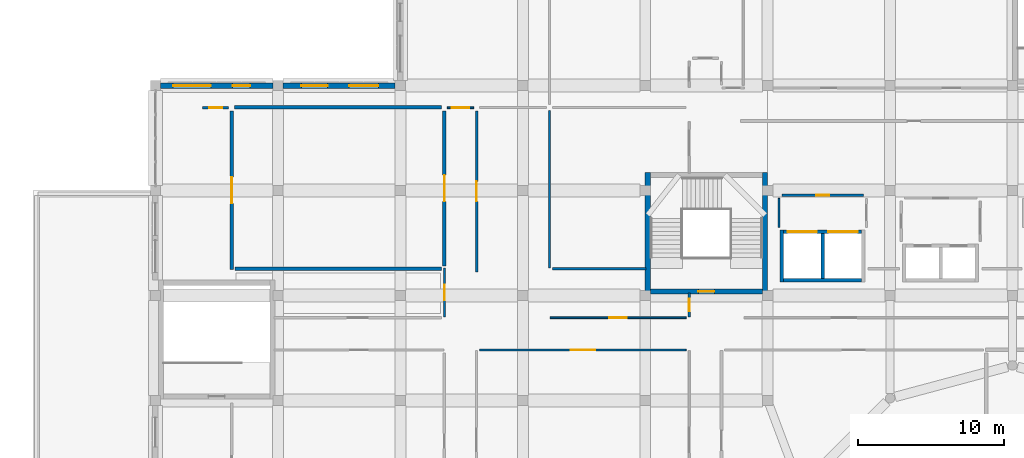
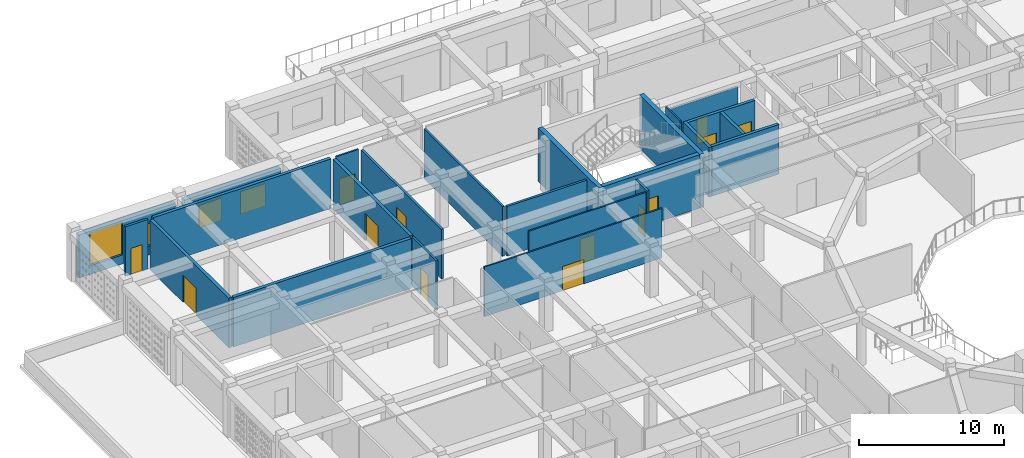
# One storey, part 47 of 79: 24 walls, 13 doors, 4 windows, 17 openings.
"""IFC4 building model written with IfcOpenShell, lengths in metres."""

from ifc_helpers import new_model, si_unit, derived_unit, direction, frame, frame_2d, origin, place, context, subcontext, project, spatial, rectangle, extrude, material, layer, layer_set, type_object, element, fill, save


model = new_model("IFC4")

# Units and contexts
model_context = context("Model", 3, precision=1e-05, world=origin(), true_north=direction((0.0, 1.0)))
body_context = subcontext(model_context, "Body", "Model", "MODEL_VIEW")
ifc_project = project(units=[si_unit("LENGTHUNIT", "METRE"), si_unit("AREAUNIT", "SQUARE_METRE"), si_unit("VOLUMEUNIT", "CUBIC_METRE"), si_unit("PLANEANGLEUNIT", "RADIAN"), si_unit("MASSUNIT", "GRAM", prefix="KILO"), derived_unit("THERMALTRANSMITTANCEUNIT", [(si_unit("POWERUNIT", "WATT"), 1), (si_unit("LENGTHUNIT", "METRE"), -2), (si_unit("THERMODYNAMICTEMPERATUREUNIT", "KELVIN"), -1)])], contexts=[model_context])

# Site, building, storey
site_placement = place(None, origin())
site = spatial("IfcSite", under=ifc_project, at=site_placement, CompositionType="ELEMENT")
building_placement = place(site_placement, origin())
building = spatial("IfcBuilding", under=site, at=building_placement, Name="Veybourne Emporium", CompositionType="ELEMENT")
storey_placement = place(building_placement, frame((0.0, 0.0, 18.89990234375)))
storey = spatial("IfcBuildingStorey", under=building, at=storey_placement, Name="L04", CompositionType="ELEMENT", Elevation=18.89990234375)

# Wall, openings, windows
ifc_material_1 = material(Name="Portland Limestone Ashlar", Category="masonry")
ifc_layer_1 = layer(ifc_material_1, 0.3798828125)
ifc_layer_set_1 = layer_set([ifc_layer_1], Name="Portland Limestone Ashlar")
wall_type_1 = type_object("IfcWallType", Name="ExtWall_EW-03", PredefinedType="SOLIDWALL", material=ifc_layer_set_1)
wall_1_placement = place(storey_placement, frame((17.14990234375, 86.39990234375, 0.0), z_axis=(0.0, 0.0, 1.0), x_axis=(1.0, 0.0, 0.0)))
wall_1 = element("IfcWall", 1, at=wall_1_placement, inside=storey, type_object=wall_type_1, Name="L04 Portland stone external wall 017", PredefinedType="SOLIDWALL", context=body_context, shape_type="SweptSolid", body=[
    extrude(rectangle(XDim=7.7001953125, YDim=0.3798828125, at=frame_2d((3.85009765625, 0.0))), origin(), (0.0, 0.0, 1.0), 3.630126953125),
])
opening_1_placement = place(wall_1_placement, frame((0.85595703125, 0.0, 0.75)))
opening_1 = element("IfcOpeningElement", 2, at=opening_1_placement, cuts=wall_1, Name="Opening W-56", PredefinedType="OPENING", context=body_context, shape_type="SweptSolid", body=[
    extrude(rectangle(XDim=2.60009765625, YDim=2.72998046875, at=frame_2d((1.300048828125, 1.364990234375))), frame((0.0, 0.2099609375, 0.0), z_axis=(0.0, -1.0, 0.0), x_axis=(1.0, 0.0, 0.0)), (0.0, 0.0, 1.0), 0.419921875),
])
opening_2_placement = place(wall_1_placement, frame((4.944091796875, 0.0, 0.75)))
opening_2 = element("IfcOpeningElement", 3, at=opening_2_placement, cuts=wall_1, Name="Opening W-01", PredefinedType="OPENING", context=body_context, shape_type="SweptSolid", body=[
    extrude(rectangle(XDim=1.199951171875, YDim=1.89990234375, at=frame_2d((0.60009765625, 0.949951171875))), frame((0.0, 0.2099609375, 0.0), z_axis=(0.0, -1.0, 0.0), x_axis=(1.0, 0.0, 0.0)), (0.0, 0.0, 1.0), 0.419921875),
])
ifc_material_2 = material(Name="Low-E Triple Glazing", Category="glass")
window_type_1 = type_object("IfcWindowType", Name="Win_W-01", PartitioningType="SINGLE_PANEL", PredefinedType="WINDOW", material=ifc_material_2)
window_1_placement = place(opening_2_placement, origin())
window_1 = element("IfcWindow", 4, at=window_1_placement, inside=storey, type_object=window_type_1, Name="L04 tripartite bronze casement window W-01 (17.2)", OverallHeight=1.89990234375, OverallWidth=1.199951171875, PartitioningType="SINGLE_PANEL", PredefinedType="WINDOW", context=body_context, shape_type="SweptSolid", body=[
    extrude(rectangle(XDim=1.199951171875, YDim=1.89990234375, at=frame_2d((0.60009765625, 0.949951171875))), frame((0.0, 0.030029296875, 0.0), z_axis=(0.0, -1.0, 0.0), x_axis=(1.0, 0.0, 0.0)), (0.0, 0.0, 1.0), 0.06005859375),
])
fill(opening_2, window_1)
window_type_2 = type_object("IfcWindowType", Name="Win_W-56", PartitioningType="TRIPLE_PANEL_VERTICAL", PredefinedType="WINDOW", material=ifc_material_2)
window_2_placement = place(opening_1_placement, origin())
window_2 = element("IfcWindow", 5, at=window_2_placement, inside=storey, type_object=window_type_2, Name="L04 tripartite bronze casement window W-56 (17.1)", OverallHeight=2.72998046875, OverallWidth=2.60009765625, PartitioningType="TRIPLE_PANEL_VERTICAL", PredefinedType="WINDOW", context=body_context, shape_type="SweptSolid", body=[
    extrude(rectangle(XDim=2.60009765625, YDim=2.72998046875, at=frame_2d((1.300048828125, 1.364990234375))), frame((0.0, 0.030029296875, 0.0), z_axis=(0.0, -1.0, 0.0), x_axis=(1.0, 0.0, 0.0)), (0.0, 0.0, 1.0), 0.06005859375),
])
fill(opening_1, window_2)

wall_2_placement = place(storey_placement, frame((25.550048828125, 86.39990234375, 0.0), z_axis=(0.0, 0.0, 1.0), x_axis=(1.0, 0.0, 0.0)))
wall_2 = element("IfcWall", 6, at=wall_2_placement, inside=storey, type_object=wall_type_1, Name="L04 Portland stone external wall 020", PredefinedType="SOLIDWALL", context=body_context, shape_type="SweptSolid", body=[
    extrude(rectangle(XDim=7.699951171875, YDim=0.3798828125, at=frame_2d((3.85009765625, 0.0))), origin(), (0.0, 0.0, 1.0), 3.630126953125),
])
opening_3_placement = place(wall_2_placement, frame((1.256103515625, 0.0, 0.75)))
opening_3 = element("IfcOpeningElement", 7, at=opening_3_placement, cuts=wall_2, Name="Opening W-04", PredefinedType="OPENING", context=body_context, shape_type="SweptSolid", body=[
    extrude(rectangle(XDim=1.800048828125, YDim=1.89990234375, at=frame_2d((0.89990234375, 0.949951171875))), frame((0.0, 0.2099609375, 0.0), z_axis=(0.0, -1.0, 0.0), x_axis=(1.0, 0.0, 0.0)), (0.0, 0.0, 1.0), 0.419921875),
])
opening_4_placement = place(wall_2_placement, frame((4.5439453125, 0.0, 0.75)))
opening_4 = element("IfcOpeningElement", 8, at=opening_4_placement, cuts=wall_2, Name="Opening W-05", PredefinedType="OPENING", context=body_context, shape_type="SweptSolid", body=[
    extrude(rectangle(XDim=2.0, YDim=1.89990234375, at=frame_2d((1.0, 0.949951171875))), frame((0.0, 0.2099609375, 0.0), z_axis=(0.0, -1.0, 0.0), x_axis=(1.0, 0.0, 0.0)), (0.0, 0.0, 1.0), 0.419921875),
])
window_type_3 = type_object("IfcWindowType", Name="Win_W-04", PartitioningType="DOUBLE_PANEL_VERTICAL", PredefinedType="WINDOW", material=ifc_material_2)
window_3_placement = place(opening_3_placement, origin())
window_3 = element("IfcWindow", 9, at=window_3_placement, inside=storey, type_object=window_type_3, Name="L04 tripartite bronze casement window W-04 (20.1)", OverallHeight=1.89990234375, OverallWidth=1.800048828125, PartitioningType="DOUBLE_PANEL_VERTICAL", PredefinedType="WINDOW", context=body_context, shape_type="SweptSolid", body=[
    extrude(rectangle(XDim=1.800048828125, YDim=1.89990234375, at=frame_2d((0.89990234375, 0.949951171875))), frame((0.0, 0.030029296875, 0.0), z_axis=(0.0, -1.0, 0.0), x_axis=(1.0, 0.0, 0.0)), (0.0, 0.0, 1.0), 0.06005859375),
])
fill(opening_3, window_3)
window_type_4 = type_object("IfcWindowType", Name="Win_W-05", PartitioningType="TRIPLE_PANEL_VERTICAL", PredefinedType="WINDOW", material=ifc_material_2)
window_4_placement = place(opening_4_placement, origin())
window_4 = element("IfcWindow", 10, at=window_4_placement, inside=storey, type_object=window_type_4, Name="L04 tripartite bronze casement window W-05 (20.2)", OverallHeight=1.89990234375, OverallWidth=2.0, PartitioningType="TRIPLE_PANEL_VERTICAL", PredefinedType="WINDOW", context=body_context, shape_type="SweptSolid", body=[
    extrude(rectangle(XDim=2.0, YDim=1.89990234375, at=frame_2d((1.0, 0.949951171875))), frame((0.0, 0.030029296875, 0.0), z_axis=(0.0, -1.0, 0.0), x_axis=(1.0, 0.0, 0.0)), (0.0, 0.0, 1.0), 0.06005859375),
])
fill(opening_4, window_4)

# Wall, opening, door
ifc_material_3 = material(Name="Concrete C40/50", Category="concrete")
ifc_layer_2 = layer(ifc_material_3, 0.35009765625)
ifc_layer_set_2 = layer_set([ifc_layer_2], Name="Concrete C40/50")
wall_type_2 = type_object("IfcWallType", Name="IntWall_CW-02", PredefinedType="SHEAR", material=ifc_layer_set_2)
wall_3_placement = place(storey_placement, frame((58.449951171875, 72.27490234375, 0.0), z_axis=(0.0, 0.0, 1.0), x_axis=(-1.0, 0.0, 0.0)))
wall_3 = element("IfcWall", 11, at=wall_3_placement, inside=storey, type_object=wall_type_2, Name="Core stair ST-03 south shear wall (L04)", PredefinedType="SHEAR", context=body_context, shape_type="SweptSolid", body=[
    extrude(rectangle(XDim=7.699951171875, YDim=0.35009765625, at=frame_2d((3.85009765625, 0.0))), origin(), (0.0, 0.0, 1.0), 4.5),
])
opening_5_placement = place(wall_3_placement, frame((3.300048828125, 0.0, 0.0)))
opening_5 = element("IfcOpeningElement", 12, at=opening_5_placement, cuts=wall_3, Name="Opening FD-01", PredefinedType="OPENING", context=body_context, shape_type="SweptSolid", body=[
    extrude(rectangle(XDim=1.10009765625, YDim=2.199951171875, at=frame_2d((0.550048828125, 1.10009765625))), frame((0.0, 0.195068359375, 0.0), z_axis=(0.0, -1.0, 0.0), x_axis=(1.0, 0.0, 0.0)), (0.0, 0.0, 1.0), 0.39013671875),
])
ifc_material_4 = material(Name="Patinated Architectural Bronze", Category="bronze")
door_type_1 = type_object("IfcDoorType", Name="FireDoor_FD-01", OperationType="NOTDEFINED", PredefinedType="DOOR", material=ifc_material_4)
door_1_placement = place(opening_5_placement, origin())
door_1 = element("IfcDoor", 13, at=door_1_placement, inside=storey, type_object=door_type_1, Name="Stair ST-03 fire door (L04)", OperationType="SINGLE_SWING_LEFT", OverallHeight=2.199951171875, OverallWidth=1.10009765625, PredefinedType="DOOR", context=body_context, shape_type="SweptSolid", body=[
    extrude(rectangle(XDim=1.10009765625, YDim=2.199951171875, at=frame_2d((0.550048828125, 1.10009765625))), frame((0.0, 0.02490234375, 0.0), z_axis=(0.0, -1.0, 0.0), x_axis=(1.0, 0.0, 0.0)), (0.0, 0.0, 1.0), 0.050048828125),
])
fill(opening_5, door_1)

# Walls
for number, where, z_axis, x_axis, name in (
    (14, (50.574951171875, 80.449951171875, 0.0), (0.0, 0.0, 1.0), (0.0, -1.0, 0.0), "Core stair ST-03 west shear wall (L04)"),
    (15, (58.625, 72.10009765625, 0.0), (0.0, 0.0, 1.0), (0.0, 1.0, 0.0), "Core stair ST-03 east shear wall (L04)"),
):
    element("IfcWall", number, at=place(storey_placement, frame(where, z_axis=z_axis, x_axis=x_axis)), inside=storey, type_object=wall_type_2, Name=name, PredefinedType="SHEAR", context=body_context, shape_type="SweptSolid", body=[
        extrude(rectangle(XDim=8.349853515625, YDim=0.35009765625, at=frame_2d((4.1748046875, 0.0))), origin(), (0.0, 0.0, 1.0), 4.5),
    ])

# Wall, openings, doors
ifc_layer_3 = layer(ifc_material_3, 0.239990234375)
ifc_layer_set_3 = layer_set([ifc_layer_3], Name="Concrete C40/50")
wall_type_3 = type_object("IfcWallType", Name="IntWall_CW-04", PredefinedType="SHEAR", material=ifc_layer_set_3)
wall_4_placement = place(storey_placement, frame((65.239990234375, 76.3701171875, 0.0), z_axis=(0.0, 0.0, 1.0), x_axis=(-1.0, 0.0, 0.0)))
wall_4 = element("IfcWall", 16, at=wall_4_placement, inside=storey, type_object=wall_type_3, Name="Lift core C4G north shaft wall (L04)", PredefinedType="SHEAR", context=body_context, shape_type="SweptSolid", body=[
    extrude(rectangle(XDim=5.340087890625, YDim=0.239990234375, at=frame_2d((2.669921875, 0.0))), origin(), (0.0, 0.0, 1.0), 4.18017578125),
])
opening_6_placement = place(wall_4_placement, frame((3.06494140625, 0.0, 0.0)))
opening_6 = element("IfcOpeningElement", 17, at=opening_6_placement, cuts=wall_4, Name="Opening LD-03", PredefinedType="OPENING", context=body_context, shape_type="SweptSolid", body=[
    extrude(rectangle(XDim=2.0, YDim=2.5, at=frame_2d((1.0, 1.25))), frame((0.0, 0.14013671875, 0.0), z_axis=(0.0, -1.0, 0.0), x_axis=(1.0, 0.0, 0.0)), (0.0, 0.0, 1.0), 0.280029296875),
])
opening_7_placement = place(wall_4_placement, frame((0.27490234375, 0.0, 0.0)))
opening_7 = element("IfcOpeningElement", 18, at=opening_7_placement, cuts=wall_4, Name="Opening LD-03", PredefinedType="OPENING", context=body_context, shape_type="SweptSolid", body=[
    extrude(rectangle(XDim=2.0, YDim=2.5, at=frame_2d((1.0, 1.25))), frame((0.0, 0.14013671875, 0.0), z_axis=(0.0, -1.0, 0.0), x_axis=(1.0, 0.0, 0.0)), (0.0, 0.0, 1.0), 0.280029296875),
])
door_type_2 = type_object("IfcDoorType", Name="FireDoor_LD-03", OperationType="DOUBLE_DOOR_SLIDING", PredefinedType="DOOR", material=ifc_material_4)
door_2_placement = place(opening_6_placement, origin())
door_2 = element("IfcDoor", 19, at=door_2_placement, inside=storey, type_object=door_type_2, Name="Lift GL-01 sliding landing door (L04)", OperationType="DOUBLE_DOOR_SLIDING", OverallHeight=2.5, OverallWidth=2.0, PredefinedType="DOOR", context=body_context, shape_type="SweptSolid", body=[
    extrude(rectangle(XDim=2.0, YDim=2.5, at=frame_2d((1.0, 1.25))), frame((0.0, 0.02490234375, 0.0), z_axis=(0.0, -1.0, 0.0), x_axis=(1.0, 0.0, 0.0)), (0.0, 0.0, 1.0), 0.050048828125),
])
fill(opening_6, door_2)
door_3_placement = place(opening_7_placement, origin())
door_3 = element("IfcDoor", 20, at=door_3_placement, inside=storey, type_object=door_type_2, Name="Lift GL-02 sliding landing door (L04)", OperationType="DOUBLE_DOOR_SLIDING", OverallHeight=2.5, OverallWidth=2.0, PredefinedType="DOOR", context=body_context, shape_type="SweptSolid", body=[
    extrude(rectangle(XDim=2.0, YDim=2.5, at=frame_2d((1.0, 1.25))), frame((0.0, 0.02490234375, 0.0), z_axis=(0.0, -1.0, 0.0), x_axis=(1.0, 0.0, 0.0)), (0.0, 0.0, 1.0), 0.050048828125),
])
fill(opening_7, door_3)

# Walls
wall_5_placement = place(storey_placement, frame((59.89990234375, 73.030029296875, 0.0), z_axis=(0.0, 0.0, 1.0), x_axis=(1.0, 0.0, 0.0)))
element("IfcWall", 21, at=wall_5_placement, inside=storey, type_object=wall_type_3, Name="Lift core C4G south shaft wall (L04)", PredefinedType="SHEAR", context=body_context, shape_type="SweptSolid", body=[
    extrude(rectangle(XDim=5.340087890625, YDim=0.239990234375, at=frame_2d((2.669921875, 0.0))), origin(), (0.0, 0.0, 1.0), 4.18017578125),
])
wall_6_placement = place(storey_placement, frame((59.780029296875, 76.489990234375, 0.0), z_axis=(0.0, 0.0, 1.0), x_axis=(0.0, -1.0, 0.0)))
element("IfcWall", 22, at=wall_6_placement, inside=storey, type_object=wall_type_3, Name="Lift core C4G west shaft wall (L04)", PredefinedType="SHEAR", context=body_context, shape_type="SweptSolid", body=[
    extrude(rectangle(XDim=3.580078125, YDim=0.239990234375, at=frame_2d((1.7900390625, 0.0))), origin(), (0.0, 0.0, 1.0), 4.18017578125),
])
wall_7_placement = place(storey_placement, frame((62.570068359375, 73.14990234375, 0.0), z_axis=(0.0, 0.0, 1.0), x_axis=(0.0, 1.0, 0.0)))
element("IfcWall", 23, at=wall_7_placement, inside=storey, type_object=wall_type_3, Name="Lift core C4G divider wall 1 (L04)", PredefinedType="SHEAR", context=body_context, shape_type="SweptSolid", body=[
    extrude(rectangle(XDim=3.10009765625, YDim=0.239990234375, at=frame_2d((1.550048828125, 0.0))), origin(), (0.0, 0.0, 1.0), 4.18017578125),
])

# Wall, opening, door
ifc_material_5 = material(Name="Concrete C32/40", Category="concrete")
ifc_layer_4 = layer(ifc_material_5, 0.25)
ifc_layer_set_4 = layer_set([ifc_layer_4], Name="Concrete C32/40")
wall_type_4 = type_object("IfcWallType", Name="IntWall_FW-01", PredefinedType="SOLIDWALL", material=ifc_layer_set_4)
wall_8_placement = place(storey_placement, frame((22.030029296875, 73.780029296875, 0.0), z_axis=(0.0, 0.0, 1.0), x_axis=(0.0, 1.0, 0.0)))
wall_8 = element("IfcWall", 24, at=wall_8_placement, inside=storey, type_object=wall_type_4, Name="L04 interior partition FW-01 #038", PredefinedType="SOLIDWALL", context=body_context, shape_type="SweptSolid", body=[
    extrude(rectangle(XDim=10.889892578125, YDim=0.25, at=frame_2d((5.44482421875, 0.0))), origin(), (0.0, 0.0, 1.0), 4.18017578125),
])
opening_8_placement = place(wall_8_placement, frame((4.544921875, 0.0, 0.0)))
opening_8 = element("IfcOpeningElement", 25, at=opening_8_placement, cuts=wall_8, Name="Opening FD-03", PredefinedType="OPENING", context=body_context, shape_type="SweptSolid", body=[
    extrude(rectangle(XDim=1.800048828125, YDim=2.300048828125, at=frame_2d((0.89990234375, 1.14990234375))), frame((0.0, 0.14501953125, 0.0), z_axis=(0.0, -1.0, 0.0), x_axis=(1.0, 0.0, 0.0)), (0.0, 0.0, 1.0), 0.2900390625),
])
door_type_3 = type_object("IfcDoorType", Name="FireDoor_FD-03", OperationType="DOUBLE_DOOR_SINGLE_SWING", PredefinedType="DOOR", material=ifc_material_4)
door_4_placement = place(opening_8_placement, origin())
door_4 = element("IfcDoor", 26, at=door_4_placement, inside=storey, type_object=door_type_3, Name="L04 interior door FD-03 (PART-L04-038)", OperationType="DOUBLE_DOOR_SINGLE_SWING", OverallHeight=2.300048828125, OverallWidth=1.800048828125, PredefinedType="DOOR", context=body_context, shape_type="SweptSolid", body=[
    extrude(rectangle(XDim=1.800048828125, YDim=2.300048828125, at=frame_2d((0.89990234375, 1.14990234375))), frame((0.0, 0.02490234375, 0.0), z_axis=(0.0, -1.0, 0.0), x_axis=(1.0, 0.0, 0.0)), (0.0, 0.0, 1.0), 0.050048828125),
])
fill(opening_8, door_4)

wall_9_placement = place(storey_placement, frame((36.6201171875, 74.0400390625, 0.0), z_axis=(0.0, 0.0, 1.0), x_axis=(0.0, 1.0, 0.0)))
wall_9 = element("IfcWall", 27, at=wall_9_placement, inside=storey, type_object=wall_type_4, Name="L04 interior partition FW-01 #040", PredefinedType="SOLIDWALL", context=body_context, shape_type="SweptSolid", body=[
    extrude(rectangle(XDim=10.6298828125, YDim=0.25, at=frame_2d((5.31494140625, 0.0))), origin(), (0.0, 0.0, 1.0), 4.18017578125),
])
opening_9_placement = place(wall_9_placement, frame((4.4150390625, 0.0, 0.0)))
opening_9 = element("IfcOpeningElement", 28, at=opening_9_placement, cuts=wall_9, Name="Opening FD-03", PredefinedType="OPENING", context=body_context, shape_type="SweptSolid", body=[
    extrude(rectangle(XDim=1.800048828125, YDim=2.300048828125, at=frame_2d((0.89990234375, 1.14990234375))), frame((0.0, 0.14501953125, 0.0), z_axis=(0.0, -1.0, 0.0), x_axis=(1.0, 0.0, 0.0)), (0.0, 0.0, 1.0), 0.2900390625),
])
door_5_placement = place(opening_9_placement, origin())
door_5 = element("IfcDoor", 29, at=door_5_placement, inside=storey, type_object=door_type_3, Name="L04 interior door FD-03 (PART-L04-040)", OperationType="DOUBLE_DOOR_SINGLE_SWING", OverallHeight=2.300048828125, OverallWidth=1.800048828125, PredefinedType="DOOR", context=body_context, shape_type="SweptSolid", body=[
    extrude(rectangle(XDim=1.800048828125, YDim=2.300048828125, at=frame_2d((0.89990234375, 1.14990234375))), frame((0.0, 0.02490234375, 0.0), z_axis=(0.0, -1.0, 0.0), x_axis=(1.0, 0.0, 0.0)), (0.0, 0.0, 1.0), 0.050048828125),
])
fill(opening_9, door_5)

# Walls
wall_10_placement = place(storey_placement, frame((22.238037109375, 84.906982421875, 0.0), z_axis=(0.0, 0.0, 1.0), x_axis=(1.0, 0.0, 0.0)))
element("IfcWall", 30, at=wall_10_placement, inside=storey, type_object=wall_type_4, Name="L04 interior partition FW-01 #110", PredefinedType="SOLIDWALL", context=body_context, shape_type="SweptSolid", body=[
    extrude(rectangle(XDim=14.174072265625, YDim=0.25, at=frame_2d((7.0869140625, 0.0))), origin(), (0.0, 0.0, 1.0), 4.18017578125),
])
wall_11_placement = place(storey_placement, frame((22.239990234375, 73.830078125, 0.0), z_axis=(0.0, 0.0, 1.0), x_axis=(1.0, 0.0, 0.0)))
element("IfcWall", 31, at=wall_11_placement, inside=storey, type_object=wall_type_4, Name="L04 interior partition FW-01 #113", PredefinedType="SOLIDWALL", context=body_context, shape_type="SweptSolid", body=[
    extrude(rectangle(XDim=14.169921875, YDim=0.25, at=frame_2d((7.0849609375, 0.0))), origin(), (0.0, 0.0, 1.0), 4.18017578125),
])

# Wall, opening, door
ifc_material_6 = material(Name="Gypsum Acoustic Board", Category="gypsum")
ifc_layer_5 = layer(ifc_material_6, 0.179931640625)
ifc_layer_set_5 = layer_set([ifc_layer_5], Name="Gypsum Acoustic Board")
wall_type_5 = type_object("IfcWallType", Name="IntWall_IW-01", PredefinedType="PARTITIONING", material=ifc_layer_set_5)
wall_12_placement = place(storey_placement, frame((38.830078125, 73.6201171875, 0.0), z_axis=(0.0, 0.0, 1.0), x_axis=(0.0, 1.0, 0.0)))
wall_12 = element("IfcWall", 32, at=wall_12_placement, inside=storey, type_object=wall_type_5, Name="L04 interior partition IW-01 #034", PredefinedType="PARTITIONING", context=body_context, shape_type="SweptSolid", body=[
    extrude(rectangle(XDim=11.0498046875, YDim=0.179931640625, at=frame_2d((5.52490234375, 0.0))), origin(), (0.0, 0.0, 1.0), 4.18017578125),
])
opening_10_placement = place(wall_12_placement, frame((4.844970703125, 0.0, 0.0)))
opening_10 = element("IfcOpeningElement", 33, at=opening_10_placement, cuts=wall_12, Name="Opening D-22", PredefinedType="OPENING", context=body_context, shape_type="SweptSolid", body=[
    extrude(rectangle(XDim=1.360107421875, YDim=2.2900390625, at=frame_2d((0.68017578125, 1.14501953125))), frame((0.0, 0.10986328125, 0.0), z_axis=(0.0, -1.0, 0.0), x_axis=(1.0, 0.0, 0.0)), (0.0, 0.0, 1.0), 0.219970703125),
])
ifc_material_7 = material(Name="European Oak Veneer and Bronze", Category="wood")
door_type_4 = type_object("IfcDoorType", Name="IntDoor_D-22", OperationType="NOTDEFINED", PredefinedType="DOOR", material=ifc_material_7)
door_6_placement = place(opening_10_placement, origin())
door_6 = element("IfcDoor", 34, at=door_6_placement, inside=storey, type_object=door_type_4, Name="L04 interior door D-22 (PART-L04-034)", OperationType="SINGLE_SWING_RIGHT", OverallHeight=2.2900390625, OverallWidth=1.360107421875, PredefinedType="DOOR", context=body_context, shape_type="SweptSolid", body=[
    extrude(rectangle(XDim=1.360107421875, YDim=2.2900390625, at=frame_2d((0.68017578125, 1.14501953125))), frame((0.0, 0.02490234375, 0.0), z_axis=(0.0, -1.0, 0.0), x_axis=(1.0, 0.0, 0.0)), (0.0, 0.0, 1.0), 0.050048828125),
])
fill(opening_10, door_6)

wall_13_placement = place(storey_placement, frame((59.780029296875, 78.8798828125, 0.0), z_axis=(0.0, 0.0, 1.0), x_axis=(1.0, 0.0, 0.0)))
wall_13 = element("IfcWall", 35, at=wall_13_placement, inside=storey, type_object=wall_type_5, Name="L04 interior partition IW-01 #055", PredefinedType="PARTITIONING", context=body_context, shape_type="SweptSolid", body=[
    extrude(rectangle(XDim=5.590087890625, YDim=0.179931640625, at=frame_2d((2.794921875, 0.0))), origin(), (0.0, 0.0, 1.0), 3.72998046875),
])
opening_11_placement = place(wall_13_placement, frame((2.35498046875, 0.0, 0.0)))
opening_11 = element("IfcOpeningElement", 36, at=opening_11_placement, cuts=wall_13, Name="Opening D-07", PredefinedType="OPENING", context=body_context, shape_type="SweptSolid", body=[
    extrude(rectangle(XDim=0.8798828125, YDim=2.1298828125, at=frame_2d((0.43994140625, 1.06494140625))), frame((0.0, 0.10986328125, 0.0), z_axis=(0.0, -1.0, 0.0), x_axis=(1.0, 0.0, 0.0)), (0.0, 0.0, 1.0), 0.219970703125),
])
door_type_5 = type_object("IfcDoorType", Name="IntDoor_D-07", OperationType="NOTDEFINED", PredefinedType="DOOR", material=ifc_material_7)
door_7_placement = place(opening_11_placement, origin())
door_7 = element("IfcDoor", 37, at=door_7_placement, inside=storey, type_object=door_type_5, Name="L04 interior door D-07 (PART-L04-055)", OperationType="SINGLE_SWING_RIGHT", OverallHeight=2.1298828125, OverallWidth=0.8798828125, PredefinedType="DOOR", context=body_context, shape_type="SweptSolid", body=[
    extrude(rectangle(XDim=0.8798828125, YDim=2.1298828125, at=frame_2d((0.43994140625, 1.06494140625))), frame((0.0, 0.02490234375, 0.0), z_axis=(0.0, -1.0, 0.0), x_axis=(1.0, 0.0, 0.0)), (0.0, 0.0, 1.0), 0.050048828125),
])
fill(opening_11, door_7)

wall_14_placement = place(storey_placement, frame((20.030029296875, 84.8798828125, 0.0), z_axis=(0.0, 0.0, 1.0), x_axis=(1.0, 0.0, 0.0)))
wall_14 = element("IfcWall", 38, at=wall_14_placement, inside=storey, type_object=wall_type_5, Name="L04 interior partition IW-01 #097", PredefinedType="PARTITIONING", context=body_context, shape_type="SweptSolid", body=[
    extrude(rectangle(XDim=1.7900390625, YDim=0.179931640625, at=frame_2d((0.89501953125, 0.0))), origin(), (0.0, 0.0, 1.0), 4.18017578125),
])
opening_12_placement = place(wall_14_placement, frame((0.455078125, 0.0, 0.0)))
opening_12 = element("IfcOpeningElement", 39, at=opening_12_placement, cuts=wall_14, Name="Opening D-13", PredefinedType="OPENING", context=body_context, shape_type="SweptSolid", body=[
    extrude(rectangle(XDim=0.8798828125, YDim=2.2099609375, at=frame_2d((0.43994140625, 1.10498046875))), frame((0.0, 0.10986328125, 0.0), z_axis=(0.0, -1.0, 0.0), x_axis=(1.0, 0.0, 0.0)), (0.0, 0.0, 1.0), 0.219970703125),
])
door_type_6 = type_object("IfcDoorType", Name="IntDoor_D-13", OperationType="NOTDEFINED", PredefinedType="DOOR", material=ifc_material_7)
door_8_placement = place(opening_12_placement, origin())
door_8 = element("IfcDoor", 40, at=door_8_placement, inside=storey, type_object=door_type_6, Name="L04 interior door D-13 (PART-L04-097)", OperationType="SINGLE_SWING_RIGHT", OverallHeight=2.2099609375, OverallWidth=0.8798828125, PredefinedType="DOOR", context=body_context, shape_type="SweptSolid", body=[
    extrude(rectangle(XDim=0.8798828125, YDim=2.2099609375, at=frame_2d((0.43994140625, 1.10498046875))), frame((0.0, 0.02490234375, 0.0), z_axis=(0.0, -1.0, 0.0), x_axis=(1.0, 0.0, 0.0)), (0.0, 0.0, 1.0), 0.050048828125),
])
fill(opening_12, door_8)

wall_15_placement = place(storey_placement, frame((53.419921875, 70.530029296875, 0.0), z_axis=(0.0, 0.0, 1.0), x_axis=(0.0, 1.0, 0.0)))
wall_15 = element("IfcWall", 41, at=wall_15_placement, inside=storey, type_object=wall_type_5, Name="L04 interior partition IW-01 #103", PredefinedType="PARTITIONING", context=body_context, shape_type="SweptSolid", body=[
    extrude(rectangle(XDim=1.6298828125, YDim=0.179931640625, at=frame_2d((0.81494140625, 0.0))), origin(), (0.0, 0.0, 1.0), 4.18017578125),
])
opening_13_placement = place(wall_15_placement, frame((0.375, 0.0, 0.0)))
opening_13 = element("IfcOpeningElement", 42, at=opening_13_placement, cuts=wall_15, Name="Opening D-19", PredefinedType="OPENING", context=body_context, shape_type="SweptSolid", body=[
    extrude(rectangle(XDim=0.8798828125, YDim=2.2900390625, at=frame_2d((0.43994140625, 1.14501953125))), frame((0.0, 0.10986328125, 0.0), z_axis=(0.0, -1.0, 0.0), x_axis=(1.0, 0.0, 0.0)), (0.0, 0.0, 1.0), 0.219970703125),
])
door_type_7 = type_object("IfcDoorType", Name="IntDoor_D-19", OperationType="NOTDEFINED", PredefinedType="DOOR", material=ifc_material_7)
door_9_placement = place(opening_13_placement, origin())
door_9 = element("IfcDoor", 43, at=door_9_placement, inside=storey, type_object=door_type_7, Name="L04 interior door D-19 (PART-L04-103)", OperationType="SINGLE_SWING_LEFT", OverallHeight=2.2900390625, OverallWidth=0.8798828125, PredefinedType="DOOR", context=body_context, shape_type="SweptSolid", body=[
    extrude(rectangle(XDim=0.8798828125, YDim=2.2900390625, at=frame_2d((0.43994140625, 1.14501953125))), frame((0.0, 0.02490234375, 0.0), z_axis=(0.0, -1.0, 0.0), x_axis=(1.0, 0.0, 0.0)), (0.0, 0.0, 1.0), 0.050048828125),
])
fill(opening_13, door_9)

# Wall
wall_16_placement = place(storey_placement, frame((44.0400390625, 73.830078125, 0.0), z_axis=(0.0, 0.0, 1.0), x_axis=(1.0, 0.0, 0.0)))
element("IfcWall", 44, at=wall_16_placement, inside=storey, type_object=wall_type_5, Name="L04 interior partition IW-01 #127", PredefinedType="PARTITIONING", context=body_context, shape_type="SweptSolid", body=[
    extrude(rectangle(XDim=6.419921875, YDim=0.179931640625, at=frame_2d((3.2099609375, 0.0))), origin(), (0.0, 0.0, 1.0), 4.18017578125),
])

# Wall, opening, door
ifc_layer_6 = layer(ifc_material_6, 0.14990234375)
ifc_layer_set_6 = layer_set([ifc_layer_6], Name="Gypsum Acoustic Board")
wall_type_6 = type_object("IfcWallType", Name="IntWall_IW-02", PredefinedType="PARTITIONING", material=ifc_layer_set_6)
wall_17_placement = place(storey_placement, frame((36.6201171875, 70.530029296875, 0.0), z_axis=(0.0, 0.0, 1.0), x_axis=(0.0, 1.0, 0.0)))
wall_17 = element("IfcWall", 45, at=wall_17_placement, inside=storey, type_object=wall_type_6, Name="L04 interior partition IW-02 #068", PredefinedType="PARTITIONING", context=body_context, shape_type="SweptSolid", body=[
    extrude(rectangle(XDim=3.349853515625, YDim=0.14990234375, at=frame_2d((1.6748046875, 0.0))), origin(), (0.0, 0.0, 1.0), 4.18017578125),
])
opening_14_placement = place(wall_17_placement, frame((1.155029296875, 0.0, 0.0)))
opening_14 = element("IfcOpeningElement", 46, at=opening_14_placement, cuts=wall_17, Name="Opening D-20", PredefinedType="OPENING", context=body_context, shape_type="SweptSolid", body=[
    extrude(rectangle(XDim=1.0400390625, YDim=2.2900390625, at=frame_2d((0.52001953125, 1.14501953125))), frame((0.0, 0.094970703125, 0.0), z_axis=(0.0, -1.0, 0.0), x_axis=(1.0, 0.0, 0.0)), (0.0, 0.0, 1.0), 0.18994140625),
])
door_type_8 = type_object("IfcDoorType", Name="IntDoor_D-20", OperationType="NOTDEFINED", PredefinedType="DOOR", material=ifc_material_7)
door_10_placement = place(opening_14_placement, origin())
door_10 = element("IfcDoor", 47, at=door_10_placement, inside=storey, type_object=door_type_8, Name="L04 interior door D-20 (PART-L04-068)", OperationType="SINGLE_SWING_RIGHT", OverallHeight=2.2900390625, OverallWidth=1.0400390625, PredefinedType="DOOR", context=body_context, shape_type="SweptSolid", body=[
    extrude(rectangle(XDim=1.0400390625, YDim=2.2900390625, at=frame_2d((0.52001953125, 1.14501953125))), frame((0.0, 0.02490234375, 0.0), z_axis=(0.0, -1.0, 0.0), x_axis=(1.0, 0.0, 0.0)), (0.0, 0.0, 1.0), 0.050048828125),
])
fill(opening_14, door_10)

# Wall
wall_18_placement = place(storey_placement, frame((43.830078125, 73.8798828125, 0.0), z_axis=(0.0, 0.0, 1.0), x_axis=(0.0, 1.0, 0.0)))
element("IfcWall", 48, at=wall_18_placement, inside=storey, type_object=wall_type_6, Name="L04 interior partition IW-02 #116", PredefinedType="PARTITIONING", context=body_context, shape_type="SweptSolid", body=[
    extrude(rectangle(XDim=10.817138671875, YDim=0.14990234375, at=frame_2d((5.40869140625, 0.0))), origin(), (0.0, 0.0, 1.0), 4.18017578125),
])

# Wall, opening, door
ifc_layer_7 = layer(ifc_material_6, 0.1201171875)
ifc_layer_set_7 = layer_set([ifc_layer_7], Name="Gypsum Acoustic Board")
wall_type_7 = type_object("IfcWallType", Name="IntWall_IW-03", PredefinedType="PARTITIONING", material=ifc_layer_set_7)
wall_19_placement = place(storey_placement, frame((39.0400390625, 68.27001953125, 0.0), z_axis=(0.0, 0.0, 1.0), x_axis=(1.0, 0.0, 0.0)))
wall_19 = element("IfcWall", 49, at=wall_19_placement, inside=storey, type_object=wall_type_7, Name="L04 interior partition IW-03 #018", PredefinedType="PARTITIONING", context=body_context, shape_type="SweptSolid", body=[
    extrude(rectangle(XDim=14.169921875, YDim=0.1201171875, at=frame_2d((7.0849609375, 0.0))), origin(), (0.0, 0.0, 1.0), 4.18017578125),
])
opening_15_placement = place(wall_19_placement, frame((6.2451171875, 0.0, 0.0)))
opening_15 = element("IfcOpeningElement", 50, at=opening_15_placement, cuts=wall_19, Name="Opening D-06", PredefinedType="OPENING", context=body_context, shape_type="SweptSolid", body=[
    extrude(rectangle(XDim=1.679931640625, YDim=2.050048828125, at=frame_2d((0.83984375, 1.02490234375))), frame((0.0, 0.080078125, 0.0), z_axis=(0.0, -1.0, 0.0), x_axis=(1.0, 0.0, 0.0)), (0.0, 0.0, 1.0), 0.16015625),
])
door_type_9 = type_object("IfcDoorType", Name="IntDoor_D-06", OperationType="DOUBLE_DOOR_SINGLE_SWING", PredefinedType="DOOR", material=ifc_material_7)
door_11_placement = place(opening_15_placement, origin())
door_11 = element("IfcDoor", 51, at=door_11_placement, inside=storey, type_object=door_type_9, Name="L04 interior door D-06 (PART-L04-018)", OperationType="DOUBLE_DOOR_SINGLE_SWING", OverallHeight=2.050048828125, OverallWidth=1.679931640625, PredefinedType="DOOR", context=body_context, shape_type="SweptSolid", body=[
    extrude(rectangle(XDim=1.679931640625, YDim=2.050048828125, at=frame_2d((0.83984375, 1.02490234375))), frame((0.0, 0.02490234375, 0.0), z_axis=(0.0, -1.0, 0.0), x_axis=(1.0, 0.0, 0.0)), (0.0, 0.0, 1.0), 0.050048828125),
])
fill(opening_15, door_11)

wall_20_placement = place(storey_placement, frame((43.8798828125, 70.47998046875, 0.0), z_axis=(0.0, 0.0, 1.0), x_axis=(1.0, 0.0, 0.0)))
wall_20 = element("IfcWall", 52, at=wall_20_placement, inside=storey, type_object=wall_type_7, Name="L04 interior partition IW-03 #051", PredefinedType="PARTITIONING", context=body_context, shape_type="SweptSolid", body=[
    extrude(rectangle(XDim=9.330078125, YDim=0.1201171875, at=frame_2d((4.6650390625, 0.0))), origin(), (0.0, 0.0, 1.0), 4.18017578125),
])
opening_16_placement = place(wall_20_placement, frame((4.06494140625, 0.0, 0.0)))
opening_16 = element("IfcOpeningElement", 53, at=opening_16_placement, cuts=wall_20, Name="Opening D-03", PredefinedType="OPENING", context=body_context, shape_type="SweptSolid", body=[
    extrude(rectangle(XDim=1.199951171875, YDim=2.050048828125, at=frame_2d((0.60009765625, 1.02490234375))), frame((0.0, 0.080078125, 0.0), z_axis=(0.0, -1.0, 0.0), x_axis=(1.0, 0.0, 0.0)), (0.0, 0.0, 1.0), 0.16015625),
])
door_type_10 = type_object("IfcDoorType", Name="IntDoor_D-03", OperationType="NOTDEFINED", PredefinedType="DOOR", material=ifc_material_7)
door_12_placement = place(opening_16_placement, origin())
door_12 = element("IfcDoor", 54, at=door_12_placement, inside=storey, type_object=door_type_10, Name="L04 interior door D-03 (PART-L04-051)", OperationType="SINGLE_SWING_LEFT", OverallHeight=2.050048828125, OverallWidth=1.199951171875, PredefinedType="DOOR", context=body_context, shape_type="SweptSolid", body=[
    extrude(rectangle(XDim=1.199951171875, YDim=2.050048828125, at=frame_2d((0.60009765625, 1.02490234375))), frame((0.0, 0.02490234375, 0.0), z_axis=(0.0, -1.0, 0.0), x_axis=(1.0, 0.0, 0.0)), (0.0, 0.0, 1.0), 0.050048828125),
])
fill(opening_16, door_12)

# Wall
wall_21_placement = place(storey_placement, frame((59.570068359375, 76.672119140625, 0.0), z_axis=(0.0, 0.0, 1.0), x_axis=(0.0, 1.0, 0.0)))
element("IfcWall", 55, at=wall_21_placement, inside=storey, type_object=wall_type_7, Name="L04 interior partition IW-03 #087", PredefinedType="PARTITIONING", context=body_context, shape_type="SweptSolid", body=[
    extrude(rectangle(XDim=1.997802734375, YDim=0.1201171875, at=frame_2d((0.9990234375, 0.0))), origin(), (0.0, 0.0, 1.0), 4.18017578125),
])

# Wall, opening, door
wall_22_placement = place(storey_placement, frame((36.830078125, 84.8798828125, 0.0), z_axis=(0.0, 0.0, 1.0), x_axis=(1.0, 0.0, 0.0)))
wall_22 = element("IfcWall", 56, at=wall_22_placement, inside=storey, type_object=wall_type_7, Name="L04 interior partition IW-03 #099", PredefinedType="PARTITIONING", context=body_context, shape_type="SweptSolid", body=[
    extrude(rectangle(XDim=1.7900390625, YDim=0.1201171875, at=frame_2d((0.89501953125, 0.0))), origin(), (0.0, 0.0, 1.0), 4.18017578125),
])
opening_17_placement = place(wall_22_placement, frame((0.294921875, 0.0, 0.0)))
opening_17 = element("IfcOpeningElement", 57, at=opening_17_placement, cuts=wall_22, Name="Opening D-15", PredefinedType="OPENING", context=body_context, shape_type="SweptSolid", body=[
    extrude(rectangle(XDim=1.199951171875, YDim=2.2099609375, at=frame_2d((0.60009765625, 1.10498046875))), frame((0.0, 0.080078125, 0.0), z_axis=(0.0, -1.0, 0.0), x_axis=(1.0, 0.0, 0.0)), (0.0, 0.0, 1.0), 0.16015625),
])
door_type_11 = type_object("IfcDoorType", Name="IntDoor_D-15", OperationType="NOTDEFINED", PredefinedType="DOOR", material=ifc_material_7)
door_13_placement = place(opening_17_placement, origin())
door_13 = element("IfcDoor", 58, at=door_13_placement, inside=storey, type_object=door_type_11, Name="L04 interior door D-15 (PART-L04-099)", OperationType="SINGLE_SWING_LEFT", OverallHeight=2.2099609375, OverallWidth=1.199951171875, PredefinedType="DOOR", context=body_context, shape_type="SweptSolid", body=[
    extrude(rectangle(XDim=1.199951171875, YDim=2.2099609375, at=frame_2d((0.60009765625, 1.10498046875))), frame((0.0, 0.02490234375, 0.0), z_axis=(0.0, -1.0, 0.0), x_axis=(1.0, 0.0, 0.0)), (0.0, 0.0, 1.0), 0.050048828125),
])
fill(opening_17, door_13)

save(model, "model.ifc")
